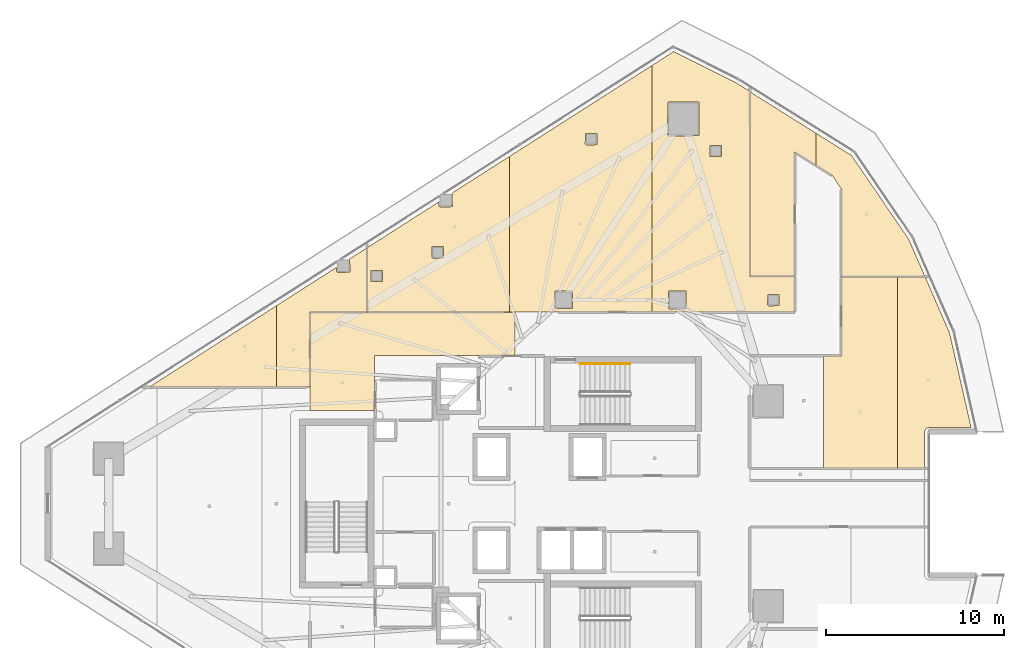
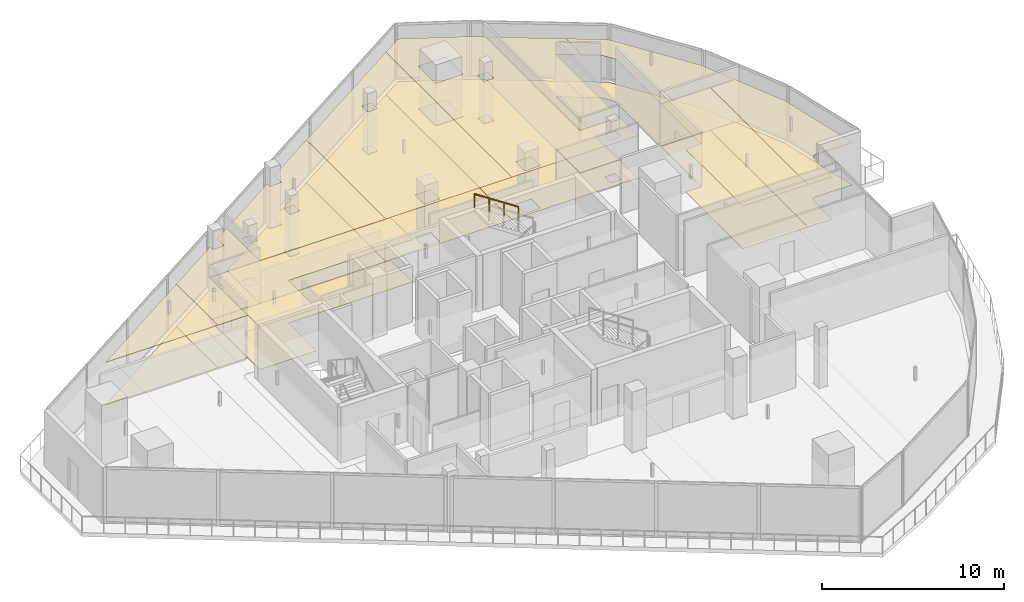
# One storey, part 34 of 34: 20 coverings, 1 railing.
"""IFC4 building model written with IfcOpenShell, lengths in metres."""

from ifc_helpers import new_model, si_unit, direction, frame, origin, origin_2d, place, context, subcontext, project, spatial, polyline, circle, outline, extrude, material, layer, layer_set, type_object, element, save


model = new_model("IFC4")

# Units and contexts
model_context = context("Model", 3, precision=1e-05, world=origin(), true_north=direction((0.0, 1.0)))
body_context = subcontext(model_context, "Body", "Model", "MODEL_VIEW")
ifc_project = project(units=[si_unit("LENGTHUNIT", "METRE"), si_unit("AREAUNIT", "SQUARE_METRE"), si_unit("VOLUMEUNIT", "CUBIC_METRE"), si_unit("PLANEANGLEUNIT", "RADIAN"), si_unit("MASSUNIT", "GRAM", prefix="KILO")], contexts=[model_context])

# Site, building, storey
site_placement = place(None, origin())
site = spatial("IfcSite", under=ifc_project, at=site_placement, CompositionType="ELEMENT")
building_placement = place(site_placement, origin())
building = spatial("IfcBuilding", under=site, at=building_placement, Name="Qorvath Tower", CompositionType="ELEMENT")
storey_placement = place(building_placement, frame((0.0, 0.0, 245.550048828125)))
storey = spatial("IfcBuildingStorey", under=building, at=storey_placement, Name="L57", CompositionType="ELEMENT", Elevation=245.550048828125)

# Coverings
ifc_material_1 = material(Name="Acoustic mineral fibre ceiling tile", Category="gypsum")
ifc_layer_1 = layer(ifc_material_1, 0.030029296875)
ifc_layer_set_1 = layer_set([ifc_layer_1], Name="COV-CEIL")
covering_type_1 = type_object("IfcCoveringType", Name="COV-CEIL", PredefinedType="CEILING", material=ifc_layer_set_1)
covering_1_placement = place(storey_placement, frame((0.0, 0.0, 2.849853515625)))
element("IfcCovering", 1, at=covering_1_placement, inside=storey, type_object=covering_type_1, Name="L57 Suspended Acoustic Ceiling 009", PredefinedType="CEILING", context=body_context, shape_type="SweptSolid", body=[
    extrude(outline(polyline([(-26.34716796875, 8.324951171875), (-26.34716796875, 10.7451171875), (-37.844970703125, 10.7451171875), (-37.844970703125, 5.239990234375), (-34.2509765625, 5.239990234375), (-34.219970703125, 8.324951171875), (-26.34716796875, 8.324951171875)])), origin(), (0.0, 0.0, 1.0), 0.030029296875),
])
covering_2_placement = place(storey_placement, frame((0.0, 0.0, 2.849853515625)))
element("IfcCovering", 2, at=covering_2_placement, inside=storey, type_object=covering_type_1, Name="L57 Suspended Acoustic Ceiling 011", PredefinedType="CEILING", context=body_context, shape_type="SweptSolid", body=[
    extrude(outline(polyline([(-30.60986328125, 16.734619140625), (-30.60986328125, 16.963134765625), (-34.64501953125, 14.384033203125), (-34.64501953125, 10.762939453125), (-26.63427734375, 10.762939453125), (-26.63427734375, 19.52490234375), (-29.746826171875, 17.53857421875), (-29.8779296875, 17.435546875), (-29.857421875, 16.692138671875), (-30.5498046875, 16.674560546875), (-30.60986328125, 16.734619140625)]), holes=[polyline([(-31.01220703125, 13.849365234375), (-30.99462890625, 14.441650390625), (-30.35986328125, 14.441650390625), (-30.35986328125, 13.806884765625), (-30.9521484375, 13.789306640625), (-31.01220703125, 13.849365234375)]), polyline([(-34.421630859375, 12.47509765625), (-34.421630859375, 13.10986328125), (-33.786865234375, 13.10986328125), (-33.786865234375, 12.47509765625), (-34.421630859375, 12.47509765625)])]), origin(), (0.0, 0.0, 1.0), 0.030029296875),
])
covering_3_placement = place(storey_placement, frame((0.0, 0.0, 2.849853515625)))
element("IfcCovering", 3, at=covering_3_placement, inside=storey, type_object=covering_type_1, Name="L57 Suspended Acoustic Ceiling 012", PredefinedType="CEILING", context=body_context, shape_type="SweptSolid", body=[
    extrude(outline(polyline([(-26.63427734375, 19.52490234375), (-26.63427734375, 10.762939453125), (-18.623779296875, 10.762939453125), (-18.623779296875, 24.63720703125), (-26.63427734375, 19.52490234375)]), holes=[polyline([(-22.38818359375, 20.219970703125), (-22.37060546875, 20.812255859375), (-21.73583984375, 20.812255859375), (-21.73583984375, 20.177490234375), (-22.328125, 20.159912109375), (-22.38818359375, 20.219970703125)]), polyline([(-24.092529296875, 10.95751953125), (-24.092529296875, 11.9423828125), (-23.107666015625, 11.9423828125), (-23.107666015625, 10.95751953125), (-24.092529296875, 10.95751953125)])]), origin(), (0.0, 0.0, 1.0), 0.030029296875),
])
covering_4_placement = place(storey_placement, frame((0.0, 0.0, 2.849853515625)))
element("IfcCovering", 4, at=covering_4_placement, inside=storey, type_object=covering_type_1, Name="L57 Suspended Acoustic Ceiling 013", PredefinedType="CEILING", context=body_context, shape_type="SweptSolid", body=[
    extrude(outline(polyline([(-18.623779296875, 24.63720703125), (-18.623779296875, 10.762939453125), (-10.613037109375, 10.762939453125), (-10.613037109375, 12.77001953125), (-13.13525390625, 12.77490234375), (-13.13671875, 23.171875), (-13.885498046875, 23.64453125), (-17.414306640625, 25.408935546875), (-18.623779296875, 24.63720703125)]), holes=[polyline([(-12.135009765625, 11.175048828125), (-12.117431640625, 11.767333984375), (-11.482666015625, 11.767333984375), (-11.482666015625, 11.132568359375), (-12.074951171875, 11.114990234375), (-12.135009765625, 11.175048828125)]), polyline([(-15.363525390625, 19.500732421875), (-15.363525390625, 20.135498046875), (-14.728759765625, 20.135498046875), (-14.728759765625, 19.500732421875), (-15.363525390625, 19.500732421875)]), polyline([(-17.756591796875, 20.72705078125), (-17.739013671875, 22.569580078125), (-16.00439453125, 22.569580078125), (-16.00439453125, 20.6845703125), (-17.69677734375, 20.6669921875), (-17.756591796875, 20.72705078125)]), polyline([(-17.7099609375, 11.0), (-17.6923828125, 11.9423828125), (-16.70751953125, 11.9423828125), (-16.70751953125, 10.95751953125), (-17.64990234375, 10.93994140625), (-17.7099609375, 11.0)])]), origin(), (0.0, 0.0, 1.0), 0.030029296875),
])
covering_5_placement = place(storey_placement, frame((0.0, 0.0, 2.849853515625)))
element("IfcCovering", 5, at=covering_5_placement, inside=storey, type_object=covering_type_1, Name="L57 Suspended Acoustic Ceiling 021", PredefinedType="CEILING", context=body_context, shape_type="SweptSolid", body=[
    extrude(outline(polyline([(-4.843505859375, 1.993896484375), (-4.843505859375, 12.75), (-7.987060546875, 12.75), (-7.988525390625, 8.308349609375), (-8.990234375, 8.30810546875), (-8.990234375, 1.993896484375), (-4.843505859375, 1.993896484375)])), origin(), (0.0, 0.0, 1.0), 0.030029296875),
])
covering_6_placement = place(storey_placement, frame((0.0, 0.0, 2.849853515625)))
element("IfcCovering", 6, at=covering_6_placement, inside=storey, type_object=covering_type_1, Name="L57 Suspended Acoustic Ceiling 022", PredefinedType="CEILING", context=body_context, shape_type="SweptSolid", body=[
    extrude(outline(polyline([(-3.06787109375, 4.28857421875), (-0.696533203125, 4.288818359375), (-1.90576171875, 9.593994140625), (-3.281494140625, 12.75), (-4.843505859375, 12.75), (-4.843505859375, 1.993896484375), (-3.3212890625, 1.993896484375), (-3.3212890625, 4.03369140625), (-3.229248046875, 4.229248046875), (-3.06787109375, 4.28857421875)])), origin(), (0.0, 0.0, 1.0), 0.030029296875),
])
covering_7_placement = place(storey_placement, frame((0.0, 0.0, 2.849853515625)))
element("IfcCovering", 7, at=covering_7_placement, inside=storey, type_object=covering_type_1, Name="L57 Suspended Acoustic Ceiling 023", PredefinedType="CEILING", context=body_context, shape_type="SweptSolid", body=[
    extrude(outline(polyline([(-9.39990234375, 19.004638671875), (-9.39990234375, 20.81396484375), (-13.11865234375, 23.14111328125), (-13.1171875, 12.787841796875), (-10.613037109375, 12.787841796875), (-10.61181640625, 19.760009765625), (-9.39990234375, 19.004638671875)])), origin(), (0.0, 0.0, 1.0), 0.030029296875),
])
covering_8_placement = place(storey_placement, frame((0.0, 0.0, 2.849853515625)))
element("IfcCovering", 8, at=covering_8_placement, inside=storey, type_object=covering_type_1, Name="L57 Suspended Acoustic Ceiling 024", PredefinedType="CEILING", context=body_context, shape_type="SweptSolid", body=[
    extrude(outline(polyline([(-7.987060546875, 17.69189453125), (-7.987060546875, 12.767822265625), (-3.289306640625, 12.767822265625), (-4.197998046875, 14.85302734375), (-7.41162109375, 19.56982421875), (-9.39990234375, 20.81396484375), (-9.39990234375, 19.004638671875), (-8.49755859375, 18.442138671875), (-7.987060546875, 17.69189453125)])), origin(), (0.0, 0.0, 1.0), 0.030029296875),
])
covering_9_placement = place(storey_placement, frame((0.0, 0.0, 2.849853515625)))
element("IfcCovering", 9, at=covering_9_placement, inside=storey, type_object=covering_type_1, Name="L57 Suspended Acoustic Ceiling 028", PredefinedType="CEILING", context=body_context, shape_type="SweptSolid", body=[
    extrude(outline(polyline([(-39.75439453125, 6.55322265625), (-39.75439453125, 11.118408203125), (-46.89599609375, 6.55419921875), (-39.75439453125, 6.55322265625)])), origin(), (0.0, 0.0, 1.0), 0.030029296875),
])
covering_10_placement = place(storey_placement, frame((0.0, 0.0, 2.849853515625)))
element("IfcCovering", 10, at=covering_10_placement, inside=storey, type_object=covering_type_1, Name="L57 Suspended Acoustic Ceiling 029", PredefinedType="CEILING", context=body_context, shape_type="SweptSolid", body=[
    extrude(outline(polyline([(-34.6630859375, 10.762939453125), (-34.6630859375, 14.37255859375), (-35.62939453125, 13.7548828125), (-35.61328125, 13.013427734375), (-36.3056640625, 12.995849609375), (-36.36572265625, 13.055908203125), (-36.36572265625, 13.284423828125), (-39.75439453125, 11.118408203125), (-39.75439453125, 6.55322265625), (-37.863037109375, 6.552978515625), (-37.861572265625, 10.761474609375), (-34.6630859375, 10.762939453125)])), origin(), (0.0, 0.0, 1.0), 0.030029296875),
])
ifc_material_2 = material(Name="Low-VOC modular carpet tile", Category="textile")
ifc_layer_2 = layer(ifc_material_2, 0.014892578125)
ifc_layer_set_2 = layer_set([ifc_layer_2], Name="COV-FLOOR-CPT")
covering_type_2 = type_object("IfcCoveringType", Name="COV-FLOOR-CPT", PredefinedType="FLOORING", material=ifc_layer_set_2)
covering_11_placement = place(storey_placement, origin())
element("IfcCovering", 11, at=covering_11_placement, inside=storey, type_object=covering_type_2, Name="L57 Floor Finish 011", PredefinedType="FLOORING", context=body_context, shape_type="SweptSolid", body=[
    extrude(outline(polyline([(-30.60986328125, 16.734619140625), (-30.60986328125, 16.963134765625), (-34.64501953125, 14.384033203125), (-34.64501953125, 10.762939453125), (-26.63427734375, 10.762939453125), (-26.63427734375, 19.52490234375), (-29.746826171875, 17.53857421875), (-29.8779296875, 17.435546875), (-29.857421875, 16.692138671875), (-30.5498046875, 16.674560546875), (-30.60986328125, 16.734619140625)]), holes=[polyline([(-31.01220703125, 13.849365234375), (-30.99462890625, 14.441650390625), (-30.35986328125, 14.441650390625), (-30.35986328125, 13.806884765625), (-30.9521484375, 13.789306640625), (-31.01220703125, 13.849365234375)]), polyline([(-34.421630859375, 12.47509765625), (-34.421630859375, 13.10986328125), (-33.786865234375, 13.10986328125), (-33.786865234375, 12.47509765625), (-34.421630859375, 12.47509765625)])]), origin(), (0.0, 0.0, 1.0), 0.014892578125),
])
covering_12_placement = place(storey_placement, origin())
element("IfcCovering", 12, at=covering_12_placement, inside=storey, type_object=covering_type_2, Name="L57 Floor Finish 012", PredefinedType="FLOORING", context=body_context, shape_type="SweptSolid", body=[
    extrude(outline(polyline([(-26.63427734375, 19.52490234375), (-26.63427734375, 10.762939453125), (-18.623779296875, 10.762939453125), (-18.623779296875, 24.63720703125), (-26.63427734375, 19.52490234375)]), holes=[polyline([(-22.38818359375, 20.219970703125), (-22.37060546875, 20.812255859375), (-21.73583984375, 20.812255859375), (-21.73583984375, 20.177490234375), (-22.328125, 20.159912109375), (-22.38818359375, 20.219970703125)]), polyline([(-24.092529296875, 10.95751953125), (-24.092529296875, 11.9423828125), (-23.107666015625, 11.9423828125), (-23.107666015625, 10.95751953125), (-24.092529296875, 10.95751953125)])]), origin(), (0.0, 0.0, 1.0), 0.014892578125),
])
covering_13_placement = place(storey_placement, origin())
element("IfcCovering", 13, at=covering_13_placement, inside=storey, type_object=covering_type_2, Name="L57 Floor Finish 013", PredefinedType="FLOORING", context=body_context, shape_type="SweptSolid", body=[
    extrude(outline(polyline([(-18.623779296875, 24.63720703125), (-18.623779296875, 10.762939453125), (-10.613037109375, 10.762939453125), (-10.613037109375, 12.77001953125), (-13.13525390625, 12.77490234375), (-13.13671875, 23.171875), (-13.885498046875, 23.64453125), (-17.414306640625, 25.408935546875), (-18.623779296875, 24.63720703125)]), holes=[polyline([(-12.135009765625, 11.175048828125), (-12.117431640625, 11.767333984375), (-11.482666015625, 11.767333984375), (-11.482666015625, 11.132568359375), (-12.074951171875, 11.114990234375), (-12.135009765625, 11.175048828125)]), polyline([(-15.363525390625, 19.500732421875), (-15.363525390625, 20.135498046875), (-14.728759765625, 20.135498046875), (-14.728759765625, 19.500732421875), (-15.363525390625, 19.500732421875)]), polyline([(-17.756591796875, 20.72705078125), (-17.739013671875, 22.569580078125), (-16.00439453125, 22.569580078125), (-16.00439453125, 20.6845703125), (-17.69677734375, 20.6669921875), (-17.756591796875, 20.72705078125)]), polyline([(-17.7099609375, 11.0), (-17.6923828125, 11.9423828125), (-16.70751953125, 11.9423828125), (-16.70751953125, 10.95751953125), (-17.64990234375, 10.93994140625), (-17.7099609375, 11.0)])]), origin(), (0.0, 0.0, 1.0), 0.014892578125),
])
covering_14_placement = place(storey_placement, origin())
element("IfcCovering", 14, at=covering_14_placement, inside=storey, type_object=covering_type_2, Name="L57 Floor Finish 021", PredefinedType="FLOORING", context=body_context, shape_type="SweptSolid", body=[
    extrude(outline(polyline([(-4.843505859375, 1.993896484375), (-4.843505859375, 12.75), (-7.987060546875, 12.75), (-7.988525390625, 8.308349609375), (-8.990234375, 8.30810546875), (-8.990234375, 1.993896484375), (-4.843505859375, 1.993896484375)])), origin(), (0.0, 0.0, 1.0), 0.014892578125),
])
covering_15_placement = place(storey_placement, origin())
element("IfcCovering", 15, at=covering_15_placement, inside=storey, type_object=covering_type_2, Name="L57 Floor Finish 022", PredefinedType="FLOORING", context=body_context, shape_type="SweptSolid", body=[
    extrude(outline(polyline([(-3.06787109375, 4.28857421875), (-0.696533203125, 4.288818359375), (-1.90576171875, 9.593994140625), (-3.281494140625, 12.75), (-4.843505859375, 12.75), (-4.843505859375, 1.993896484375), (-3.3212890625, 1.993896484375), (-3.3212890625, 4.03369140625), (-3.229248046875, 4.229248046875), (-3.06787109375, 4.28857421875)])), origin(), (0.0, 0.0, 1.0), 0.014892578125),
])
covering_16_placement = place(storey_placement, origin())
element("IfcCovering", 16, at=covering_16_placement, inside=storey, type_object=covering_type_2, Name="L57 Floor Finish 023", PredefinedType="FLOORING", context=body_context, shape_type="SweptSolid", body=[
    extrude(outline(polyline([(-9.39990234375, 19.004638671875), (-9.39990234375, 20.81396484375), (-13.11865234375, 23.14111328125), (-13.1171875, 12.787841796875), (-10.613037109375, 12.787841796875), (-10.61181640625, 19.760009765625), (-9.39990234375, 19.004638671875)])), origin(), (0.0, 0.0, 1.0), 0.014892578125),
])
covering_17_placement = place(storey_placement, origin())
element("IfcCovering", 17, at=covering_17_placement, inside=storey, type_object=covering_type_2, Name="L57 Floor Finish 024", PredefinedType="FLOORING", context=body_context, shape_type="SweptSolid", body=[
    extrude(outline(polyline([(-7.987060546875, 17.69189453125), (-7.987060546875, 12.767822265625), (-3.289306640625, 12.767822265625), (-4.197998046875, 14.85302734375), (-7.41162109375, 19.56982421875), (-9.39990234375, 20.81396484375), (-9.39990234375, 19.004638671875), (-8.49755859375, 18.442138671875), (-7.987060546875, 17.69189453125)])), origin(), (0.0, 0.0, 1.0), 0.014892578125),
])
covering_18_placement = place(storey_placement, origin())
element("IfcCovering", 18, at=covering_18_placement, inside=storey, type_object=covering_type_2, Name="L57 Floor Finish 028", PredefinedType="FLOORING", context=body_context, shape_type="SweptSolid", body=[
    extrude(outline(polyline([(-39.75439453125, 6.55322265625), (-39.75439453125, 11.118408203125), (-46.89599609375, 6.55419921875), (-39.75439453125, 6.55322265625)])), origin(), (0.0, 0.0, 1.0), 0.014892578125),
])
covering_19_placement = place(storey_placement, origin())
element("IfcCovering", 19, at=covering_19_placement, inside=storey, type_object=covering_type_2, Name="L57 Floor Finish 029", PredefinedType="FLOORING", context=body_context, shape_type="SweptSolid", body=[
    extrude(outline(polyline([(-34.6630859375, 10.762939453125), (-34.6630859375, 14.37255859375), (-35.62939453125, 13.7548828125), (-35.61328125, 13.013427734375), (-36.3056640625, 12.995849609375), (-36.36572265625, 13.055908203125), (-36.36572265625, 13.284423828125), (-39.75439453125, 11.118408203125), (-39.75439453125, 6.55322265625), (-37.863037109375, 6.552978515625), (-37.861572265625, 10.761474609375), (-34.6630859375, 10.762939453125)])), origin(), (0.0, 0.0, 1.0), 0.014892578125),
])
ifc_material_3 = material(Name="Polished epoxy terrazzo flooring", Category="concrete")
ifc_layer_3 = layer(ifc_material_3, 0.02001953125)
ifc_layer_set_3 = layer_set([ifc_layer_3], Name="COV-FLOOR-TRZ")
covering_type_3 = type_object("IfcCoveringType", Name="COV-FLOOR-TRZ", PredefinedType="FLOORING", material=ifc_layer_set_3)
covering_20_placement = place(storey_placement, origin())
element("IfcCovering", 20, at=covering_20_placement, inside=storey, type_object=covering_type_3, Name="L57 Floor Finish 009", PredefinedType="FLOORING", context=body_context, shape_type="SweptSolid", body=[
    extrude(outline(polyline([(-26.34716796875, 8.324951171875), (-26.34716796875, 10.7451171875), (-37.844970703125, 10.7451171875), (-37.844970703125, 5.239990234375), (-34.2509765625, 5.239990234375), (-34.219970703125, 8.324951171875), (-26.34716796875, 8.324951171875)])), origin(), (0.0, 0.0, 1.0), 0.014892578125),
])

# Railing
ifc_material_4 = material(Name="Brushed stainless steel AISI 304", Category="steel")
railing_type = type_object("IfcRailingType", Name="RL-STR-HND", PredefinedType="HANDRAIL", material=ifc_material_4)
railing_placement = place(storey_placement, frame((-19.8701171875, 7.860107421875, 2.208984375)))
element("IfcRailing", 21, at=railing_placement, inside=storey, type_object=railing_type, Name="L57 TS1 stair handrail 2", PredefinedType="HANDRAIL", context=body_context, shape_type="SweptSolid", body=[
    extrude(circle(Radius=0.02392578125, at=origin_2d()), frame((0.0, 0.0, 0.8759765625), z_axis=(-0.835542071712, 0.0, 0.549426470421), x_axis=(0.0, -1.0, 0.0)), (0.0, 0.0, 1.0), 3.350830078125),
    extrude(circle(Radius=0.02099609375, at=origin_2d()), origin(), (0.0, 0.0, 1.0), 0.851806640625),
    extrude(circle(Radius=0.02099609375, at=origin_2d()), frame((-0.933349609375, 0.0, 0.61376953125)), (0.0, 0.0, 1.0), 0.851806640625),
    extrude(circle(Radius=0.02099609375, at=origin_2d()), frame((-1.866455078125, 0.0, 1.227294921875)), (0.0, 0.0, 1.0), 0.851806640625),
    extrude(circle(Radius=0.02099609375, at=origin_2d()), frame((-2.7998046875, 0.0, 1.841064453125)), (0.0, 0.0, 1.0), 0.851806640625),
])

save(model, "model.ifc")
